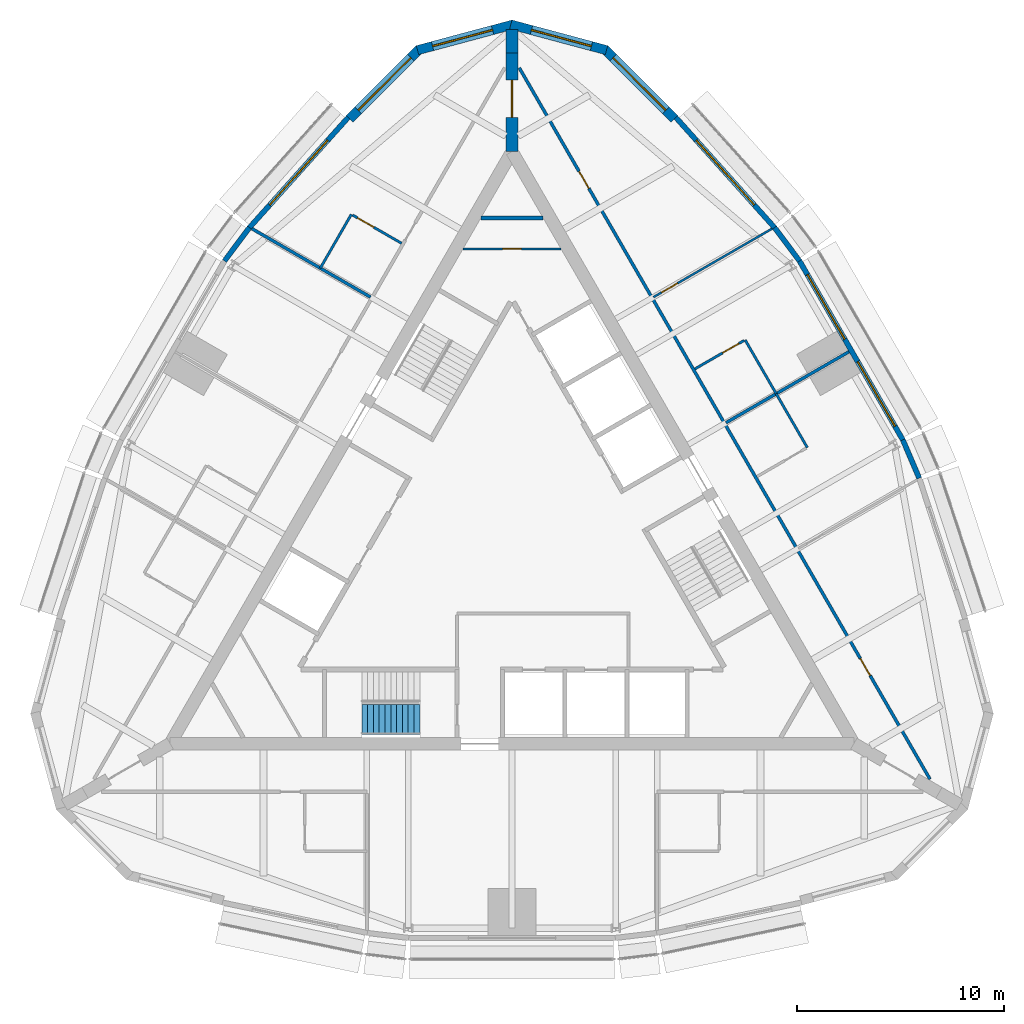
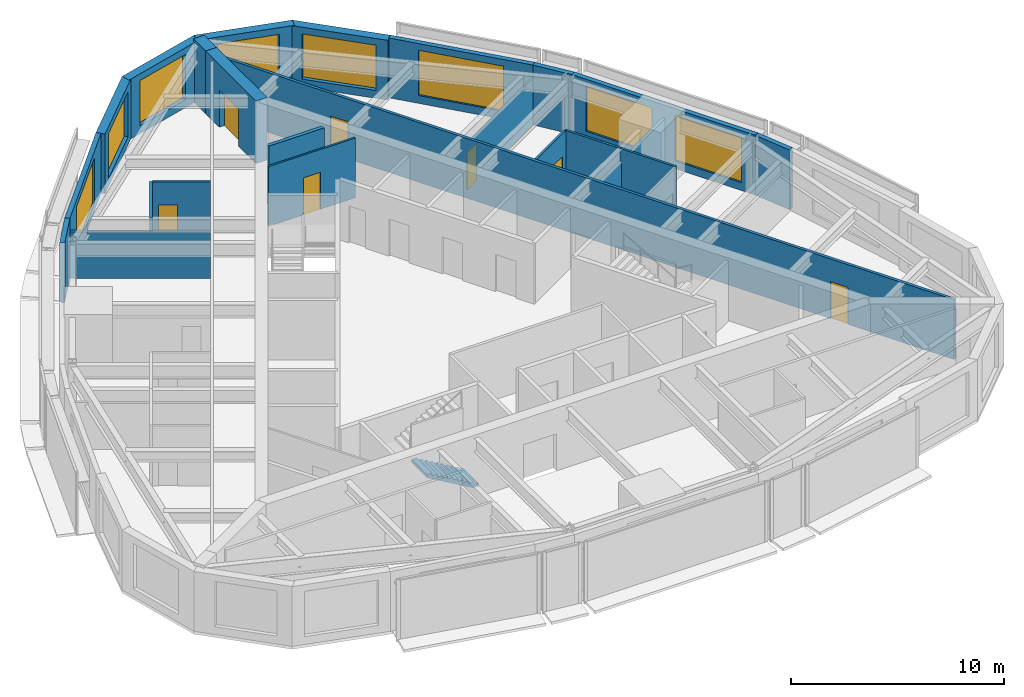
# One storey, part 10 of 12: 23 walls, 8 windows, 7 doors, 1 stair flight, 15 openings, 1 element without a shape of its own.
"""IFC4 building model written with IfcOpenShell, lengths in metres."""

from ifc_helpers import new_model, si_unit, direction, frame, frame_2d, origin, place, context, subcontext, project, spatial, polyline, rectangle, outline, extrude, material, layer, layer_set, type_object, element, fill, aggregate, save


model = new_model("IFC4")

# Units and contexts
model_context = context("Model", 3, precision=1e-05, world=origin(), true_north=direction((0.0, 1.0)))
body_context = subcontext(model_context, "Body", "Model", "MODEL_VIEW")
ifc_project = project(units=[si_unit("LENGTHUNIT", "METRE"), si_unit("AREAUNIT", "SQUARE_METRE"), si_unit("VOLUMEUNIT", "CUBIC_METRE"), si_unit("PLANEANGLEUNIT", "RADIAN"), si_unit("MASSUNIT", "GRAM", prefix="KILO")], contexts=[model_context])

# Site, building, storey
site_placement = place(None, origin())
site = spatial("IfcSite", under=ifc_project, at=site_placement, CompositionType="ELEMENT")
building_placement = place(site_placement, origin())
building = spatial("IfcBuilding", under=site, at=building_placement, Name="Trikona Tower", CompositionType="ELEMENT")
storey_placement = place(building_placement, frame((0.0, 0.0, 257.300048828125)))
storey = spatial("IfcBuildingStorey", under=building, at=storey_placement, Name="L68", CompositionType="ELEMENT", Elevation=257.300048828125)

# Walls
ifc_material_1 = material(Name="Metal stud and cement board", Category="gypsum")
ifc_layer_1 = layer(ifc_material_1, 0.1201171875)
ifc_layer_set_1 = layer_set([ifc_layer_1], Name="Bathroom wall 120")
wall_type_1 = type_object("IfcWallType", Name="Bathroom wall 120", PredefinedType="PLUMBINGWALL", material=ifc_layer_set_1)
wall_1_placement = place(storey_placement, frame((14.25341796875, 4.76513671875, 0.0), z_axis=(0.0, 0.0, 1.0), x_axis=(-0.50002537861, 0.866010750942, 0.0)))
element("IfcWall", 1, at=wall_1_placement, inside=storey, type_object=wall_type_1, Name="Bathroom wall 6803.1", PredefinedType="PLUMBINGWALL", context=body_context, shape_type="SweptSolid", body=[
    extrude(rectangle(XDim=2.999755859375, YDim=0.1201171875, at=frame_2d((1.5, 0.0))), origin(), (0.0, 0.0, 1.0), 3.43505859375),
])
wall_2_placement = place(storey_placement, frame((12.75341796875, 7.363037109375, 0.0), z_axis=(0.0, 0.0, 1.0), x_axis=(-0.499990139034, 0.866031096941, 0.0)))
element("IfcWall", 2, at=wall_2_placement, inside=storey, type_object=wall_type_1, Name="Bathroom wall 6804.1", PredefinedType="PLUMBINGWALL", context=body_context, shape_type="SweptSolid", body=[
    extrude(rectangle(XDim=3.0, YDim=0.1201171875, at=frame_2d((1.5, 0.0))), origin(), (0.0, 0.0, 1.0), 3.43505859375),
])

# Wall, opening, door
wall_3_placement = place(storey_placement, frame((8.82861328125, 8.561279296875, 0.0), z_axis=(0.0, 0.0, 1.0), x_axis=(0.866035715982, 0.499982138324, 0.0)))
wall_3 = element("IfcWall", 3, at=wall_3_placement, inside=storey, type_object=wall_type_1, Name="Bathroom wall 6804.1", PredefinedType="PLUMBINGWALL", context=body_context, shape_type="SweptSolid", body=[
    extrude(rectangle(XDim=2.73974609375, YDim=0.1201171875, at=frame_2d((1.369873046875, 0.0))), origin(), (0.0, 0.0, 1.0), 3.43505859375),
])
opening_1_placement = place(wall_3_placement, frame((1.550048828125, 0.0, 0.0)))
opening_1 = element("IfcOpeningElement", 4, at=opening_1_placement, cuts=wall_3, Name="Opening D2", PredefinedType="OPENING", context=body_context, shape_type="SweptSolid", body=[
    extrude(rectangle(XDim=0.89990234375, YDim=2.1298828125, at=frame_2d((0.449951171875, 1.06494140625))), frame((0.0, 0.070068359375, 0.0), z_axis=(0.0, -1.0, 0.0), x_axis=(1.0, 0.0, 0.0)), (0.0, 0.0, 1.0), 0.14013671875),
])
ifc_material_2 = material(Name="Steel door frame with solid-core timber leaf", Category="steel")
door_type_1 = type_object("IfcDoorType", Name="Bathroom door 900x2130", OperationType="SLIDING_TO_LEFT", PredefinedType="DOOR", material=ifc_material_2)
door_1_placement = place(opening_1_placement, origin())
door_1 = element("IfcDoor", 5, at=door_1_placement, inside=storey, type_object=door_type_1, Name="Bathroom door 6804.1", OperationType="SLIDING_TO_LEFT", OverallHeight=2.1298828125, OverallWidth=0.89990234375, PredefinedType="DOOR", context=body_context, shape_type="SweptSolid", body=[
    extrude(rectangle(XDim=0.89990234375, YDim=2.1298828125, at=frame_2d((0.449951171875, 1.06494140625))), frame((0.0, 0.02490234375, 0.0), z_axis=(0.0, -1.0, 0.0), x_axis=(1.0, 0.0, 0.0)), (0.0, 0.0, 1.0), 0.050048828125),
])
fill(opening_1, door_1)

# Wall
wall_4_placement = place(storey_placement, frame((-7.75341796875, 16.0234375, 0.0), z_axis=(0.0, 0.0, 1.0), x_axis=(-0.499990139034, -0.866031096941, 0.0)))
element("IfcWall", 6, at=wall_4_placement, inside=storey, type_object=wall_type_1, Name="Bathroom wall 6805", PredefinedType="PLUMBINGWALL", context=body_context, shape_type="SweptSolid", body=[
    extrude(rectangle(XDim=3.0, YDim=0.1201171875, at=frame_2d((1.5, 0.0))), origin(), (0.0, 0.0, 1.0), 3.43505859375),
])

# Wall, opening, door
wall_5_placement = place(storey_placement, frame((-5.32861328125, 14.623291015625, 0.0), z_axis=(0.0, 0.0, 1.0), x_axis=(-0.865997131366, 0.500048966069, 0.0)))
wall_5 = element("IfcWall", 7, at=wall_5_placement, inside=storey, type_object=wall_type_1, Name="Bathroom wall 6805", PredefinedType="PLUMBINGWALL", context=body_context, shape_type="SweptSolid", body=[
    extrude(rectangle(XDim=2.739990234375, YDim=0.1201171875, at=frame_2d((1.3701171875, 0.0))), origin(), (0.0, 0.0, 1.0), 3.43505859375),
])
opening_2_placement = place(wall_5_placement, frame((1.550048828125, 0.0, 0.0)))
opening_2 = element("IfcOpeningElement", 8, at=opening_2_placement, cuts=wall_5, Name="Opening D2", PredefinedType="OPENING", context=body_context, shape_type="SweptSolid", body=[
    extrude(rectangle(XDim=0.89990234375, YDim=2.1298828125, at=frame_2d((0.449951171875, 1.06494140625))), frame((0.0, 0.070068359375, 0.0), z_axis=(0.0, -1.0, 0.0), x_axis=(1.0, 0.0, 0.0)), (0.0, 0.0, 1.0), 0.14013671875),
])
door_2_placement = place(opening_2_placement, origin())
door_2 = element("IfcDoor", 9, at=door_2_placement, inside=storey, type_object=door_type_1, Name="Bathroom door 6805", OperationType="SLIDING_TO_LEFT", OverallHeight=2.1298828125, OverallWidth=0.89990234375, PredefinedType="DOOR", context=body_context, shape_type="SweptSolid", body=[
    extrude(rectangle(XDim=0.89990234375, YDim=2.1298828125, at=frame_2d((0.449951171875, 1.06494140625))), frame((0.0, 0.02490234375, 0.0), z_axis=(0.0, -1.0, 0.0), x_axis=(1.0, 0.0, 0.0)), (0.0, 0.0, 1.0), 0.050048828125),
])
fill(opening_2, door_2)

# Wall, opening, window
ifc_material_3 = material(Name="Brick-faced precast concrete", Category="masonry")
ifc_layer_2 = layer(ifc_material_3, 0.449951171875)
ifc_layer_set_2 = layer_set([ifc_layer_2], Name="Brick-faced corner wall 450")
wall_type_2 = type_object("IfcWallType", Name="Brick-faced corner wall 450", PredefinedType="SOLIDWALL", material=ifc_layer_set_2)
wall_6_placement = place(storey_placement, frame((7.8408203125, 20.62548828125, 0.0), z_axis=(0.0, 0.0, 1.0), x_axis=(-0.707106781187, 0.707106781187, 0.0)))
wall_6 = element("IfcWall", 10, at=wall_6_placement, inside=storey, type_object=wall_type_2, Name="External wall L68-14", PredefinedType="SOLIDWALL", context=body_context, shape_type="SweptSolid", body=[
    extrude(rectangle(XDim=4.781494140625, YDim=0.449951171875, at=frame_2d((2.390625, 0.0))), origin(), (0.0, 0.0, 1.0), 3.43505859375),
])
opening_3_placement = place(wall_6_placement, frame((0.5908203125, 0.0, 0.449951171875)))
opening_3 = element("IfcOpeningElement", 11, at=opening_3_placement, cuts=wall_6, Name="Opening W3626", PredefinedType="OPENING", context=body_context, shape_type="SweptSolid", body=[
    extrude(rectangle(XDim=3.60009765625, YDim=2.60009765625, at=frame_2d((1.800048828125, 1.300048828125))), frame((0.0, 0.23486328125, 0.0), z_axis=(0.0, -1.0, 0.0), x_axis=(1.0, 0.0, 0.0)), (0.0, 0.0, 1.0), 0.469970703125),
])
ifc_material_4 = material(Name="Aluminium-framed double glazing", Category="aluminium")
window_type_1 = type_object("IfcWindowType", Name="Window 3600x2600", PartitioningType="SINGLE_PANEL", PredefinedType="WINDOW", material=ifc_material_4)
window_1_placement = place(opening_3_placement, origin())
window_1 = element("IfcWindow", 12, at=window_1_placement, inside=storey, type_object=window_type_1, Name="Window 6804", OverallHeight=2.60009765625, OverallWidth=3.60009765625, PartitioningType="SINGLE_PANEL", PredefinedType="WINDOW", context=body_context, shape_type="SweptSolid", body=[
    extrude(rectangle(XDim=3.60009765625, YDim=2.60009765625, at=frame_2d((1.800048828125, 1.300048828125))), frame((0.0, 0.030029296875, 0.0), z_axis=(0.0, -1.0, 0.0), x_axis=(1.0, 0.0, 0.0)), (0.0, 0.0, 1.0), 0.06005859375),
])
fill(opening_3, window_1)

wall_7_placement = place(storey_placement, frame((4.560546875, 23.948486328125, 0.0), z_axis=(0.0, 0.0, 1.0), x_axis=(-0.965926628191, 0.258816052347, 0.0)))
wall_7 = element("IfcWall", 13, at=wall_7_placement, inside=storey, type_object=wall_type_2, Name="External wall L68-15", PredefinedType="SOLIDWALL", context=body_context, shape_type="SweptSolid", body=[
    extrude(outline(polyline([(4.781494140625, 0.22509765625), (4.722412109375, 0.22509765625), (4.37548828125, 0.132080078125), (4.3505859375, 0.22509765625), (0.0, 0.22509765625), (0.0, -0.22509765625), (4.781494140625, -0.22509765625), (4.781494140625, 0.22509765625)])), origin(), (0.0, 0.0, 1.0), 3.43505859375),
])
opening_4_placement = place(wall_7_placement, frame((0.750244140625, 0.0, 0.449951171875)))
opening_4 = element("IfcOpeningElement", 14, at=opening_4_placement, cuts=wall_7, Name="Opening W3026", PredefinedType="OPENING", context=body_context, shape_type="SweptSolid", body=[
    extrude(rectangle(XDim=3.0, YDim=2.60009765625, at=frame_2d((1.5, 1.300048828125))), frame((0.0, 0.23486328125, 0.0), z_axis=(0.0, -1.0, 0.0), x_axis=(1.0, 0.0, 0.0)), (0.0, 0.0, 1.0), 0.469970703125),
])
ifc_material_5 = material(Name="Aluminium-framed double glazing", Category="aluminium")
window_type_2 = type_object("IfcWindowType", Name="Window 3000x2600", PartitioningType="SINGLE_PANEL", PredefinedType="WINDOW", material=ifc_material_5)
window_2_placement = place(opening_4_placement, origin())
window_2 = element("IfcWindow", 15, at=window_2_placement, inside=storey, type_object=window_type_2, Name="Window 6804", OverallHeight=2.60009765625, OverallWidth=3.0, PartitioningType="SINGLE_PANEL", PredefinedType="WINDOW", context=body_context, shape_type="SweptSolid", body=[
    extrude(rectangle(XDim=3.0, YDim=2.60009765625, at=frame_2d((1.5, 1.300048828125))), frame((0.0, 0.030029296875, 0.0), z_axis=(0.0, -1.0, 0.0), x_axis=(1.0, 0.0, 0.0)), (0.0, 0.0, 1.0), 0.06005859375),
])
fill(opening_4, window_2)

wall_8_placement = place(storey_placement, frame((0.05810546875, 25.18603515625, 0.0), z_axis=(0.0, 0.0, 1.0), x_axis=(-0.965926628191, -0.258816052347, 0.0)))
wall_8 = element("IfcWall", 16, at=wall_8_placement, inside=storey, type_object=wall_type_2, Name="External wall L68-16", PredefinedType="SOLIDWALL", context=body_context, shape_type="SweptSolid", body=[
    extrude(outline(polyline([(4.781494140625, 0.22509765625), (0.430908203125, 0.22509765625), (0.406005859375, 0.132080078125), (0.059326171875, 0.22509765625), (0.0, 0.22509765625), (0.0, -0.22509765625), (4.781494140625, -0.22509765625), (4.781494140625, 0.22509765625)])), origin(), (0.0, 0.0, 1.0), 3.43505859375),
])
opening_5_placement = place(wall_8_placement, frame((1.031494140625, 0.0, 0.449951171875)))
opening_5 = element("IfcOpeningElement", 17, at=opening_5_placement, cuts=wall_8, Name="Opening W3026", PredefinedType="OPENING", context=body_context, shape_type="SweptSolid", body=[
    extrude(rectangle(XDim=3.0, YDim=2.60009765625, at=frame_2d((1.5, 1.300048828125))), frame((0.0, 0.23486328125, 0.0), z_axis=(0.0, -1.0, 0.0), x_axis=(1.0, 0.0, 0.0)), (0.0, 0.0, 1.0), 0.469970703125),
])
window_3_placement = place(opening_5_placement, origin())
window_3 = element("IfcWindow", 18, at=window_3_placement, inside=storey, type_object=window_type_2, Name="Window 6805", OverallHeight=2.60009765625, OverallWidth=3.0, PartitioningType="SINGLE_PANEL", PredefinedType="WINDOW", context=body_context, shape_type="SweptSolid", body=[
    extrude(rectangle(XDim=3.0, YDim=2.60009765625, at=frame_2d((1.5, 1.300048828125))), frame((0.0, 0.030029296875, 0.0), z_axis=(0.0, -1.0, 0.0), x_axis=(1.0, 0.0, 0.0)), (0.0, 0.0, 1.0), 0.06005859375),
])
fill(opening_5, window_3)

wall_9_placement = place(storey_placement, frame((-4.459716796875, 24.006591796875, 0.0), z_axis=(0.0, 0.0, 1.0), x_axis=(-0.707106781187, -0.707106781187, 0.0)))
wall_9 = element("IfcWall", 19, at=wall_9_placement, inside=storey, type_object=wall_type_2, Name="External wall L68-17", PredefinedType="SOLIDWALL", context=body_context, shape_type="SweptSolid", body=[
    extrude(rectangle(XDim=4.781494140625, YDim=0.449951171875, at=frame_2d((2.390625, 0.0))), origin(), (0.0, 0.0, 1.0), 3.43505859375),
])
opening_6_placement = place(wall_9_placement, frame((0.5908203125, 0.0, 0.449951171875)))
opening_6 = element("IfcOpeningElement", 20, at=opening_6_placement, cuts=wall_9, Name="Opening W3626", PredefinedType="OPENING", context=body_context, shape_type="SweptSolid", body=[
    extrude(rectangle(XDim=3.60009765625, YDim=2.60009765625, at=frame_2d((1.800048828125, 1.300048828125))), frame((0.0, 0.23486328125, 0.0), z_axis=(0.0, -1.0, 0.0), x_axis=(1.0, 0.0, 0.0)), (0.0, 0.0, 1.0), 0.469970703125),
])
window_4_placement = place(opening_6_placement, origin())
window_4 = element("IfcWindow", 21, at=window_4_placement, inside=storey, type_object=window_type_1, Name="Window 6805", OverallHeight=2.60009765625, OverallWidth=3.60009765625, PartitioningType="SINGLE_PANEL", PredefinedType="WINDOW", context=body_context, shape_type="SweptSolid", body=[
    extrude(rectangle(XDim=3.60009765625, YDim=2.60009765625, at=frame_2d((1.800048828125, 1.300048828125))), frame((0.0, 0.030029296875, 0.0), z_axis=(0.0, -1.0, 0.0), x_axis=(1.0, 0.0, 0.0)), (0.0, 0.0, 1.0), 0.06005859375),
])
fill(opening_6, window_4)

# Wall, opening, door
ifc_material_6 = material(Name="Concrete f'c 10000 psi", Category="concrete")
ifc_layer_3 = layer(ifc_material_6, 0.60009765625)
ifc_layer_set_3 = layer_set([ifc_layer_3], Name="Buttress wall 600")
wall_type_3 = type_object("IfcWallType", Name="Buttress wall 600", PredefinedType="SHEAR", material=ifc_layer_set_3)
wall_10_placement = place(storey_placement, frame((0.0, 19.052490234375, 0.0), z_axis=(0.0, 0.0, 1.0), x_axis=(0.0, 1.0, 0.0)))
wall_10 = element("IfcWall", 22, at=wall_10_placement, inside=storey, type_object=wall_type_3, Name="Buttress wall 2", PredefinedType="SHEAR", context=body_context, shape_type="SweptSolid", body=[
    extrude(rectangle(XDim=4.74609375, YDim=0.60009765625, at=frame_2d((2.373046875, 0.0))), origin(), (0.0, 0.0, 1.0), 3.599853515625),
])
opening_7_placement = place(wall_10_placement, frame((1.64990234375, 0.0, 0.0)))
opening_7 = element("IfcOpeningElement", 23, at=opening_7_placement, cuts=wall_10, Name="Opening D10", PredefinedType="OPENING", context=body_context, shape_type="SweptSolid", body=[
    extrude(rectangle(XDim=1.800048828125, YDim=2.1298828125, at=frame_2d((0.89990234375, 1.06494140625))), frame((0.0, 0.31005859375, 0.0), z_axis=(0.0, -1.0, 0.0), x_axis=(1.0, 0.0, 0.0)), (0.0, 0.0, 1.0), 0.6201171875),
])
ifc_material_7 = material(Name="Hollow metal door and frame", Category="steel")
door_type_2 = type_object("IfcDoorType", Name="Cross-corridor door pair 1800x2130", OperationType="DOUBLE_DOOR_DOUBLE_SWING", PredefinedType="DOOR", material=ifc_material_7)
door_3_placement = place(opening_7_placement, origin())
door_3 = element("IfcDoor", 24, at=door_3_placement, inside=storey, type_object=door_type_2, Name="Cross-corridor door 2", OperationType="DOUBLE_DOOR_DOUBLE_SWING", OverallHeight=2.1298828125, OverallWidth=1.800048828125, PredefinedType="DOOR", context=body_context, shape_type="SweptSolid", body=[
    extrude(rectangle(XDim=1.800048828125, YDim=2.1298828125, at=frame_2d((0.89990234375, 1.06494140625))), frame((0.0, 0.02490234375, 0.0), z_axis=(0.0, -1.0, 0.0), x_axis=(1.0, 0.0, 0.0)), (0.0, 0.0, 1.0), 0.050048828125),
])
fill(opening_7, door_3)

# Wall
wall_11_placement = place(storey_placement, frame((0.0, 23.798583984375, 0.0), z_axis=(0.0, 0.0, 1.0), x_axis=(0.0, 1.0, 0.0)))
element("IfcWall", 25, at=wall_11_placement, inside=storey, type_object=wall_type_3, Name="Buttress wall 2 part 2", PredefinedType="SHEAR", context=body_context, shape_type="SweptSolid", body=[
    extrude(rectangle(XDim=1.15478515625, YDim=0.60009765625, at=frame_2d((0.577392578125, 0.0))), origin(), (0.0, 0.0, 1.0), 3.599853515625),
])

# Wall, openings, doors
ifc_material_8 = material(Name="Metal stud and gypsum board, 1-hour", Category="gypsum")
ifc_layer_4 = layer(ifc_material_8, 0.14990234375)
ifc_layer_set_4 = layer_set([ifc_layer_4], Name="Corridor wall 150")
wall_type_4 = type_object("IfcWallType", Name="Corridor wall 150", PredefinedType="PARTITIONING", material=ifc_layer_set_4)
wall_12_placement = place(storey_placement, frame((20.177001953125, -11.2451171875, 0.0), z_axis=(0.0, 0.0, 1.0), x_axis=(-0.499998875317, 0.866026053119, 0.0)))
wall_12 = element("IfcWall", 26, at=wall_12_placement, inside=storey, type_object=wall_type_4, Name="Corridor wall L68-2", PredefinedType="PARTITIONING", context=body_context, shape_type="SweptSolid", body=[
    extrude(rectangle(XDim=39.65380859375, YDim=0.14990234375, at=frame_2d((19.826904296875, 0.0))), origin(), (0.0, 0.0, 1.0), 3.43505859375),
])
opening_8_placement = place(wall_12_placement, frame((5.771728515625, 0.0, 0.0)))
opening_8 = element("IfcOpeningElement", 27, at=opening_8_placement, cuts=wall_12, Name="Opening D1", PredefinedType="OPENING", context=body_context, shape_type="SweptSolid", body=[
    extrude(rectangle(XDim=0.949951171875, YDim=2.1298828125, at=frame_2d((0.47509765625, 1.06494140625))), frame((0.0, 0.0849609375, 0.0), z_axis=(0.0, -1.0, 0.0), x_axis=(1.0, 0.0, 0.0)), (0.0, 0.0, 1.0), 0.169921875),
])
opening_9_placement = place(wall_12_placement, frame((32.932373046875, 0.0, 0.0)))
opening_9 = element("IfcOpeningElement", 28, at=opening_9_placement, cuts=wall_12, Name="Opening D1", PredefinedType="OPENING", context=body_context, shape_type="SweptSolid", body=[
    extrude(rectangle(XDim=0.949951171875, YDim=2.1298828125, at=frame_2d((0.47509765625, 1.06494140625))), frame((0.0, 0.0849609375, 0.0), z_axis=(0.0, -1.0, 0.0), x_axis=(1.0, 0.0, 0.0)), (0.0, 0.0, 1.0), 0.169921875),
])
ifc_material_9 = material(Name="Steel door frame with solid-core timber leaf", Category="steel")
door_type_3 = type_object("IfcDoorType", Name="Guest room door 950x2130", OperationType="SINGLE_SWING_LEFT", PredefinedType="DOOR", material=ifc_material_9)
door_4_placement = place(opening_8_placement, origin())
door_4 = element("IfcDoor", 29, at=door_4_placement, inside=storey, type_object=door_type_3, Name="Room door 6803", OperationType="SINGLE_SWING_LEFT", OverallHeight=2.1298828125, OverallWidth=0.949951171875, PredefinedType="DOOR", context=body_context, shape_type="SweptSolid", body=[
    extrude(rectangle(XDim=0.949951171875, YDim=2.1298828125, at=frame_2d((0.47509765625, 1.06494140625))), frame((0.0, 0.02490234375, 0.0), z_axis=(0.0, -1.0, 0.0), x_axis=(1.0, 0.0, 0.0)), (0.0, 0.0, 1.0), 0.050048828125),
])
fill(opening_8, door_4)
door_5_placement = place(opening_9_placement, origin())
door_5 = element("IfcDoor", 30, at=door_5_placement, inside=storey, type_object=door_type_3, Name="Room door 6804", OperationType="SINGLE_SWING_RIGHT", OverallHeight=2.1298828125, OverallWidth=0.949951171875, PredefinedType="DOOR", context=body_context, shape_type="SweptSolid", body=[
    extrude(rectangle(XDim=0.949951171875, YDim=2.1298828125, at=frame_2d((0.47509765625, 1.06494140625))), frame((0.0, 0.02490234375, 0.0), z_axis=(0.0, -1.0, 0.0), x_axis=(1.0, 0.0, 0.0)), (0.0, 0.0, 1.0), 0.050048828125),
])
fill(opening_9, door_5)

# Wall
ifc_material_10 = material(Name="Insulated precast concrete spandrel panel", Category="concrete")
ifc_layer_5 = layer(ifc_material_10, 0.25)
ifc_layer_set_5 = layer_set([ifc_layer_5], Name="Inner skin wall 250")
wall_type_5 = type_object("IfcWallType", Name="Inner skin wall 250", PredefinedType="STANDARD", material=ifc_layer_set_5)
wall_13_placement = place(storey_placement, frame((19.658203125, 3.283935546875, 0.0), z_axis=(0.0, 0.0, 1.0), x_axis=(-0.393290226175, 0.91941437774, 0.0)))
element("IfcWall", 31, at=wall_13_placement, inside=storey, type_object=wall_type_5, Name="External wall L68-10", PredefinedType="STANDARD", context=body_context, shape_type="SweptSolid", body=[
    extrude(rectangle(XDim=2.014404296875, YDim=0.25, at=frame_2d((1.00732421875, 0.0))), origin(), (0.0, 0.0, 1.0), 3.43505859375),
])

# Wall, openings, windows
wall_14_placement = place(storey_placement, frame((18.87255859375, 5.12255859375, 0.0), z_axis=(0.0, 0.0, 1.0), x_axis=(-0.499993662806, 0.866029062534, 0.0)))
wall_14 = element("IfcWall", 32, at=wall_14_placement, inside=storey, type_object=wall_type_5, Name="External wall L68-11", PredefinedType="STANDARD", context=body_context, shape_type="SweptSolid", body=[
    extrude(rectangle(XDim=10.000244140625, YDim=0.25, at=frame_2d((5.0, 0.0))), origin(), (0.0, 0.0, 1.0), 3.43505859375),
])
opening_10_placement = place(wall_14_placement, frame((0.77490234375, 0.0, 0.449951171875)))
opening_10 = element("IfcOpeningElement", 33, at=opening_10_placement, cuts=wall_14, Name="Opening W3626", PredefinedType="OPENING", context=body_context, shape_type="SweptSolid", body=[
    extrude(rectangle(XDim=3.60009765625, YDim=2.60009765625, at=frame_2d((1.800048828125, 1.300048828125))), frame((0.0, 0.135009765625, 0.0), z_axis=(0.0, -1.0, 0.0), x_axis=(1.0, 0.0, 0.0)), (0.0, 0.0, 1.0), 0.27001953125),
])
opening_11_placement = place(wall_14_placement, frame((5.625, 0.0, 0.449951171875)))
opening_11 = element("IfcOpeningElement", 34, at=opening_11_placement, cuts=wall_14, Name="Opening W3626", PredefinedType="OPENING", context=body_context, shape_type="SweptSolid", body=[
    extrude(rectangle(XDim=3.60009765625, YDim=2.60009765625, at=frame_2d((1.800048828125, 1.300048828125))), frame((0.0, 0.135009765625, 0.0), z_axis=(0.0, -1.0, 0.0), x_axis=(1.0, 0.0, 0.0)), (0.0, 0.0, 1.0), 0.27001953125),
])
window_5_placement = place(opening_10_placement, origin())
window_5 = element("IfcWindow", 35, at=window_5_placement, inside=storey, type_object=window_type_1, Name="Window 6803.1", OverallHeight=2.60009765625, OverallWidth=3.60009765625, PartitioningType="SINGLE_PANEL", PredefinedType="WINDOW", context=body_context, shape_type="SweptSolid", body=[
    extrude(rectangle(XDim=3.60009765625, YDim=2.60009765625, at=frame_2d((1.800048828125, 1.300048828125))), frame((0.0, 0.030029296875, 0.0), z_axis=(0.0, -1.0, 0.0), x_axis=(1.0, 0.0, 0.0)), (0.0, 0.0, 1.0), 0.06005859375),
])
fill(opening_10, window_5)
window_6_placement = place(opening_11_placement, origin())
window_6 = element("IfcWindow", 36, at=window_6_placement, inside=storey, type_object=window_type_1, Name="Window 6804.1", OverallHeight=2.60009765625, OverallWidth=3.60009765625, PartitioningType="SINGLE_PANEL", PredefinedType="WINDOW", context=body_context, shape_type="SweptSolid", body=[
    extrude(rectangle(XDim=3.60009765625, YDim=2.60009765625, at=frame_2d((1.800048828125, 1.300048828125))), frame((0.0, 0.030029296875, 0.0), z_axis=(0.0, -1.0, 0.0), x_axis=(1.0, 0.0, 0.0)), (0.0, 0.0, 1.0), 0.06005859375),
])
fill(opening_11, window_6)

# Wall
wall_15_placement = place(storey_placement, frame((13.880859375, 13.7705078125, 0.0), z_axis=(0.0, 0.0, 1.0), x_axis=(-0.599650843534, 0.800261748335, 0.0)))
element("IfcWall", 37, at=wall_15_placement, inside=storey, type_object=wall_type_5, Name="External wall L68-12", PredefinedType="STANDARD", context=body_context, shape_type="SweptSolid", body=[
    extrude(rectangle(XDim=2.01416015625, YDim=0.25, at=frame_2d((1.007080078125, 0.0))), origin(), (0.0, 0.0, 1.0), 3.43505859375),
])

# Wall, opening, window
wall_16_placement = place(storey_placement, frame((12.679931640625, 15.3740234375, 0.0), z_axis=(0.0, 0.0, 1.0), x_axis=(-0.667303550892, 0.744785855778, 0.0)))
wall_16 = element("IfcWall", 38, at=wall_16_placement, inside=storey, type_object=wall_type_5, Name="External wall L68-13", PredefinedType="STANDARD", context=body_context, shape_type="SweptSolid", body=[
    extrude(rectangle(XDim=7.152587890625, YDim=0.25, at=frame_2d((3.576171875, 0.0))), origin(), (0.0, 0.0, 1.0), 3.43505859375),
])
opening_12_placement = place(wall_16_placement, frame((1.476318359375, 0.0, 0.449951171875)))
opening_12 = element("IfcOpeningElement", 39, at=opening_12_placement, cuts=wall_16, Name="Opening W4226", PredefinedType="OPENING", context=body_context, shape_type="SweptSolid", body=[
    extrude(rectangle(XDim=4.199951171875, YDim=2.60009765625, at=frame_2d((2.10009765625, 1.300048828125))), frame((0.0, 0.135009765625, 0.0), z_axis=(0.0, -1.0, 0.0), x_axis=(1.0, 0.0, 0.0)), (0.0, 0.0, 1.0), 0.27001953125),
])
ifc_material_11 = material(Name="Aluminium-framed double glazing", Category="aluminium")
window_type_3 = type_object("IfcWindowType", Name="Window 4200x2600", PartitioningType="SINGLE_PANEL", PredefinedType="WINDOW", material=ifc_material_11)
window_7_placement = place(opening_12_placement, origin())
window_7 = element("IfcWindow", 40, at=window_7_placement, inside=storey, type_object=window_type_3, Name="Window 6804", OverallHeight=2.60009765625, OverallWidth=4.199951171875, PartitioningType="SINGLE_PANEL", PredefinedType="WINDOW", context=body_context, shape_type="SweptSolid", body=[
    extrude(rectangle(XDim=4.199951171875, YDim=2.60009765625, at=frame_2d((2.10009765625, 1.300048828125))), frame((0.0, 0.030029296875, 0.0), z_axis=(0.0, -1.0, 0.0), x_axis=(1.0, 0.0, 0.0)), (0.0, 0.0, 1.0), 0.06005859375),
])
fill(opening_12, window_7)

wall_17_placement = place(storey_placement, frame((-7.906982421875, 20.701171875, 0.0), z_axis=(0.0, 0.0, 1.0), x_axis=(-0.667303550892, -0.744785855778, 0.0)))
wall_17 = element("IfcWall", 41, at=wall_17_placement, inside=storey, type_object=wall_type_5, Name="External wall L68-18", PredefinedType="STANDARD", context=body_context, shape_type="SweptSolid", body=[
    extrude(rectangle(XDim=7.152587890625, YDim=0.25, at=frame_2d((3.576171875, 0.0))), origin(), (0.0, 0.0, 1.0), 3.43505859375),
])
opening_13_placement = place(wall_17_placement, frame((1.476318359375, 0.0, 0.449951171875)))
opening_13 = element("IfcOpeningElement", 42, at=opening_13_placement, cuts=wall_17, Name="Opening W4226", PredefinedType="OPENING", context=body_context, shape_type="SweptSolid", body=[
    extrude(rectangle(XDim=4.199951171875, YDim=2.60009765625, at=frame_2d((2.10009765625, 1.300048828125))), frame((0.0, 0.135009765625, 0.0), z_axis=(0.0, -1.0, 0.0), x_axis=(1.0, 0.0, 0.0)), (0.0, 0.0, 1.0), 0.27001953125),
])
window_8_placement = place(opening_13_placement, origin())
window_8 = element("IfcWindow", 43, at=window_8_placement, inside=storey, type_object=window_type_3, Name="Window 6805", OverallHeight=2.60009765625, OverallWidth=4.199951171875, PartitioningType="SINGLE_PANEL", PredefinedType="WINDOW", context=body_context, shape_type="SweptSolid", body=[
    extrude(rectangle(XDim=4.199951171875, YDim=2.60009765625, at=frame_2d((2.10009765625, 1.300048828125))), frame((0.0, 0.030029296875, 0.0), z_axis=(0.0, -1.0, 0.0), x_axis=(1.0, 0.0, 0.0)), (0.0, 0.0, 1.0), 0.06005859375),
])
fill(opening_13, window_8)

# Walls
wall_18_placement = place(storey_placement, frame((-12.673095703125, 15.38232421875, 0.0), z_axis=(0.0, 0.0, 1.0), x_axis=(-0.599650843534, -0.800261748335, 0.0)))
element("IfcWall", 44, at=wall_18_placement, inside=storey, type_object=wall_type_5, Name="External wall L68-19", PredefinedType="STANDARD", context=body_context, shape_type="SweptSolid", body=[
    extrude(rectangle(XDim=2.01416015625, YDim=0.25, at=frame_2d((1.007080078125, 0.0))), origin(), (0.0, 0.0, 1.0), 3.43505859375),
])
ifc_material_12 = material(Name="Metal stud and gypsum board, 1-hour acoustic", Category="gypsum")
ifc_layer_6 = layer(ifc_material_12, 0.14990234375)
ifc_layer_set_6 = layer_set([ifc_layer_6], Name="Party wall 150")
wall_type_6 = type_object("IfcWallType", Name="Party wall 150", PredefinedType="PARTITIONING", material=ifc_layer_set_6)
wall_19_placement = place(storey_placement, frame((10.32861328125, 5.963134765625, 0.0), z_axis=(0.0, 0.0, 1.0), x_axis=(0.866011785882, 0.500023586156, 0.0)))
element("IfcWall", 45, at=wall_19_placement, inside=storey, type_object=wall_type_6, Name="Partition L68 F2 u-1.77636e-15", PredefinedType="PARTITIONING", context=body_context, shape_type="SweptSolid", body=[
    extrude(rectangle(XDim=6.854248046875, YDim=0.14990234375, at=frame_2d((3.42724609375, 0.0))), origin(), (0.0, 0.0, 1.0), 2.677978515625),
])
wall_20_placement = place(storey_placement, frame((-6.82861328125, 12.025390625, 0.0), z_axis=(0.0, 0.0, 1.0), x_axis=(-0.866029323189, 0.499993211332, 0.0)))
element("IfcWall", 46, at=wall_20_placement, inside=storey, type_object=wall_type_6, Name="Partition L68 F3 u-7", PredefinedType="PARTITIONING", context=body_context, shape_type="SweptSolid", body=[
    extrude(rectangle(XDim=6.6083984375, YDim=0.14990234375, at=frame_2d((3.30419921875, 0.0))), origin(), (0.0, 0.0, 1.0), 2.677978515625),
])
ifc_material_13 = material(Name="Concrete f'c 8000 psi", Category="concrete")
ifc_layer_7 = layer(ifc_material_13, 0.199951171875)
ifc_layer_set_7 = layer_set([ifc_layer_7], Name="Shaft wall 200")
wall_type_7 = type_object("IfcWallType", Name="Shaft wall 200", PredefinedType="SOLIDWALL", material=ifc_layer_set_7)
wall_21_placement = place(storey_placement, frame((-1.501220703125, 15.8525390625, 0.0), z_axis=(0.0, 0.0, 1.0), x_axis=(1.0, 0.0, 0.0)))
element("IfcWall", 47, at=wall_21_placement, inside=storey, type_object=wall_type_7, Name="Riser wall L68-RS2", PredefinedType="SOLIDWALL", context=body_context, shape_type="SweptSolid", body=[
    extrude(rectangle(XDim=3.00244140625, YDim=0.199951171875, at=frame_2d((1.501220703125, 0.0))), origin(), (0.0, 0.0, 1.0), 3.43505859375),
])

# Wall, opening, door
ifc_material_14 = material(Name="Metal stud and gypsum board, acoustic", Category="gypsum")
ifc_layer_8 = layer(ifc_material_14, 0.10009765625)
ifc_layer_set_8 = layer_set([ifc_layer_8], Name="Suite partition 100")
wall_type_8 = type_object("IfcWallType", Name="Suite partition 100", PredefinedType="PARTITIONING", material=ifc_layer_set_8)
wall_22_placement = place(storey_placement, frame((6.82861328125, 12.025390625, 0.0), z_axis=(0.0, 0.0, 1.0), x_axis=(0.866029323189, 0.499993211332, 0.0)))
wall_22 = element("IfcWall", 48, at=wall_22_placement, inside=storey, type_object=wall_type_8, Name="Suite partition L68 F2 u7", PredefinedType="PARTITIONING", context=body_context, shape_type="SweptSolid", body=[
    extrude(rectangle(XDim=6.6083984375, YDim=0.10009765625, at=frame_2d((3.30419921875, 0.0))), origin(), (0.0, 0.0, 1.0), 2.677978515625),
])
opening_14_placement = place(wall_22_placement, frame((0.449951171875, 0.0, 0.0)))
opening_14 = element("IfcOpeningElement", 49, at=opening_14_placement, cuts=wall_22, Name="Opening D13", PredefinedType="OPENING", context=body_context, shape_type="SweptSolid", body=[
    extrude(rectangle(XDim=0.89990234375, YDim=2.1298828125, at=frame_2d((0.449951171875, 1.06494140625))), frame((0.0, 0.06005859375, 0.0), z_axis=(0.0, -1.0, 0.0), x_axis=(1.0, 0.0, 0.0)), (0.0, 0.0, 1.0), 0.1201171875),
])
ifc_material_15 = material(Name="Steel door frame with solid-core timber leaf", Category="steel")
door_type_4 = type_object("IfcDoorType", Name="Suite door 900x2130", OperationType="SINGLE_SWING_LEFT", PredefinedType="DOOR", material=ifc_material_15)
door_6_placement = place(opening_14_placement, origin())
door_6 = element("IfcDoor", 50, at=door_6_placement, inside=storey, type_object=door_type_4, Name="Suite door 6804", OperationType="SINGLE_SWING_LEFT", OverallHeight=2.1298828125, OverallWidth=0.89990234375, PredefinedType="DOOR", context=body_context, shape_type="SweptSolid", body=[
    extrude(rectangle(XDim=0.89990234375, YDim=2.1298828125, at=frame_2d((0.449951171875, 1.06494140625))), frame((0.0, 0.02490234375, 0.0), z_axis=(0.0, -1.0, 0.0), x_axis=(1.0, 0.0, 0.0)), (0.0, 0.0, 1.0), 0.050048828125),
])
fill(opening_14, door_6)

wall_23_placement = place(storey_placement, frame((-2.3671875, 14.3525390625, 0.0), z_axis=(0.0, 0.0, 1.0), x_axis=(1.0, 0.0, 0.0)))
wall_23 = element("IfcWall", 51, at=wall_23_placement, inside=storey, type_object=wall_type_8, Name="Store partition L68-RS2", PredefinedType="PARTITIONING", context=body_context, shape_type="SweptSolid", body=[
    extrude(rectangle(XDim=4.734375, YDim=0.10009765625, at=frame_2d((2.3671875, 0.0))), origin(), (0.0, 0.0, 1.0), 3.43505859375),
])
opening_15_placement = place(wall_23_placement, frame((1.9169921875, 0.0, 0.0)))
opening_15 = element("IfcOpeningElement", 52, at=opening_15_placement, cuts=wall_23, Name="Opening D15", PredefinedType="OPENING", context=body_context, shape_type="SweptSolid", body=[
    extrude(rectangle(XDim=0.89990234375, YDim=2.1298828125, at=frame_2d((0.449951171875, 1.06494140625))), frame((0.0, 0.06005859375, 0.0), z_axis=(0.0, -1.0, 0.0), x_axis=(1.0, 0.0, 0.0)), (0.0, 0.0, 1.0), 0.1201171875),
])
ifc_material_16 = material(Name="Steel door frame with solid-core timber leaf", Category="steel")
door_type_5 = type_object("IfcDoorType", Name="Store door 900x2130", OperationType="SINGLE_SWING_LEFT", PredefinedType="DOOR", material=ifc_material_16)
door_7_placement = place(opening_15_placement, origin())
door_7 = element("IfcDoor", 53, at=door_7_placement, inside=storey, type_object=door_type_5, Name="Door Amenity store AMS", OperationType="SINGLE_SWING_LEFT", OverallHeight=2.1298828125, OverallWidth=0.89990234375, PredefinedType="DOOR", context=body_context, shape_type="SweptSolid", body=[
    extrude(rectangle(XDim=0.89990234375, YDim=2.1298828125, at=frame_2d((0.449951171875, 1.06494140625))), frame((0.0, 0.02490234375, 0.0), z_axis=(0.0, -1.0, 0.0), x_axis=(1.0, 0.0, 0.0)), (0.0, 0.0, 1.0), 0.050048828125),
])
fill(opening_15, door_7)

# Stair, stair flight
ifc_material_17 = material(Name="Concrete f'c 5000 psi", Category="concrete")
stair_type = type_object("IfcStairType", Name="Core stair", PredefinedType="HALF_TURN_STAIR", material=ifc_material_17)
stair_placement = place(storey_placement, origin())
stair = element("IfcStair", 54, at=stair_placement, inside=storey, type_object=stair_type, Name="Stair A L68", PredefinedType="HALF_TURN_STAIR")
ifc_material_18 = material(Name="Concrete f'c 5000 psi", Category="concrete")
stair_flight_type = type_object("IfcStairFlightType", Name="Core stair flight 1450", PredefinedType="STRAIGHT", material=ifc_material_18)
stair_flight_placement = place(storey_placement, frame((-4.449951171875, -8.351318359375, 0.0), z_axis=(0.0, 0.0, 1.0), x_axis=(-1.0, 0.0, 0.0)))
stair_flight = element("IfcStairFlight", 55, at=stair_flight_placement, type_object=stair_flight_type, Name="ST-A flight 1", NumberOfRisers=11, NumberOfTreads=10, PredefinedType="STRAIGHT", RiserHeight=0.163636, TreadLength=0.28, context=body_context, shape_type="SweptSolid", body=[
    extrude(outline(polyline([(0.0, 0.0), (0.0, 0.16357421875), (0.280029296875, 0.16357421875), (0.280029296875, 0.327392578125), (0.56005859375, 0.327392578125), (0.56005859375, 0.490966796875), (0.840087890625, 0.490966796875), (0.840087890625, 0.654541015625), (1.1201171875, 0.654541015625), (1.1201171875, 0.818115234375), (1.39990234375, 0.818115234375), (1.39990234375, 0.98193359375), (1.679931640625, 0.98193359375), (1.679931640625, 1.1455078125), (1.9599609375, 1.1455078125), (1.9599609375, 1.30908203125), (2.239990234375, 1.30908203125), (2.239990234375, 1.47265625), (2.52001953125, 1.47265625), (2.52001953125, 1.636474609375), (2.800048828125, 1.636474609375), (2.800048828125, 1.800048828125), (2.800048828125, 1.462646484375), (0.297119140625, 0.0), (0.0, 0.0)])), frame((0.0, 0.72509765625, 0.0), z_axis=(0.0, -1.0, 0.0), x_axis=(1.0, 0.0, 0.0)), (0.0, 0.0, 1.0), 1.449951171875),
])
aggregate(stair, [stair_flight])

save(model, "model.ifc")
